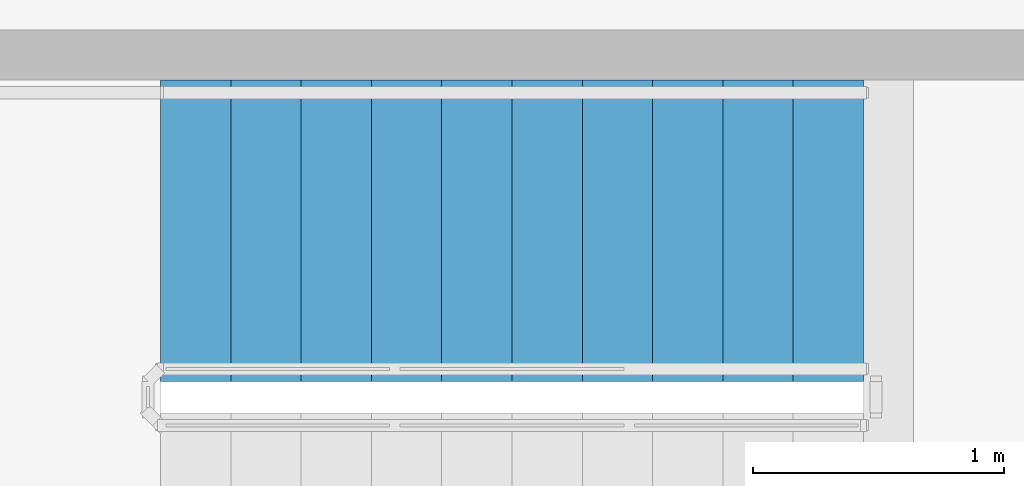
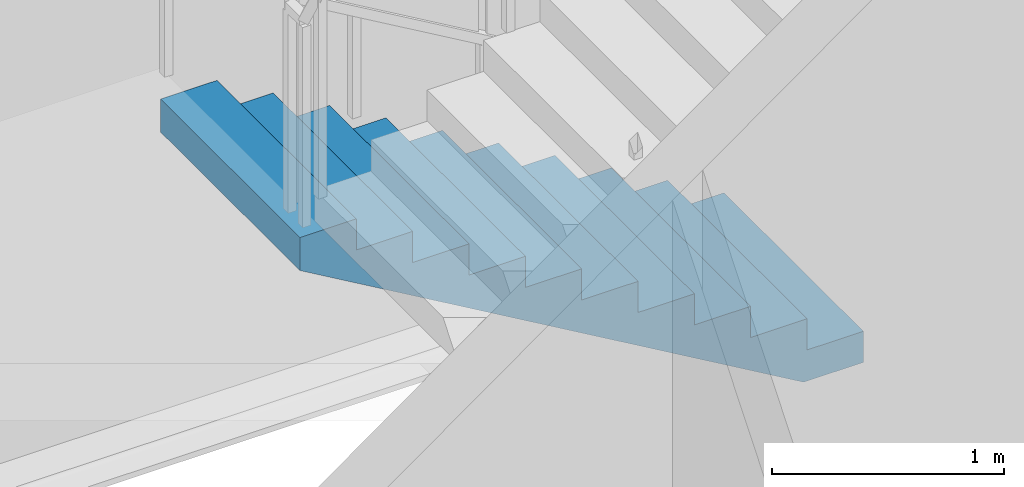
# One storey, part 13 of 19: 1 stair flight, 1 element without a shape of its own.
"""IFC4 building model written with IfcOpenShell, lengths in metres."""

from ifc_helpers import new_model, si_unit, direction, frame, origin, place, context, subcontext, project, spatial, polyline, outline, extrude, material, type_object, element, aggregate, save


model = new_model("IFC4")

# Units and contexts
model_context = context("Model", 3, precision=1e-05, world=origin(), true_north=direction((0.0, 1.0)))
body_context = subcontext(model_context, "Body", "Model", "MODEL_VIEW")
ifc_project = project(units=[si_unit("LENGTHUNIT", "METRE"), si_unit("AREAUNIT", "SQUARE_METRE"), si_unit("VOLUMEUNIT", "CUBIC_METRE"), si_unit("PLANEANGLEUNIT", "RADIAN"), si_unit("MASSUNIT", "GRAM", prefix="KILO")], contexts=[model_context])

# Site, building, storey
site_placement = place(None, origin())
site = spatial("IfcSite", under=ifc_project, at=site_placement, CompositionType="ELEMENT")
building_placement = place(site_placement, origin())
building = spatial("IfcBuilding", under=site, at=building_placement, Name="Cairn Pilgrim Tower", CompositionType="ELEMENT")
storey_placement = place(building_placement, frame((0.0, 0.0, 190.199951171875)))
storey = spatial("IfcBuildingStorey", under=building, at=storey_placement, Name="L48", CompositionType="ELEMENT", Elevation=190.199951171875)

# Stair, stair flight
ifc_material = material(Name="Concrete C32/40", Category="concrete")
stair_type = type_object("IfcStairType", Name="EXIT STAIR 1200", PredefinedType="HALF_TURN_STAIR", material=ifc_material)
stair_placement = place(storey_placement, origin())
stair = element("IfcStair", 1, at=stair_placement, inside=storey, type_object=stair_type, Name="L48 Exit Stair C", PredefinedType="HALF_TURN_STAIR")
stair_flight_type = type_object("IfcStairFlightType", Name="STAIR FLIGHT 1200", PredefinedType="STRAIGHT", material=ifc_material)
stair_flight_placement = place(storey_placement, frame((11.425048828125, 9.5, 0.0), z_axis=(0.0, 0.0, 1.0), x_axis=(-1.0, 0.0, 0.0)))
stair_flight = element("IfcStairFlight", 2, at=stair_flight_placement, type_object=stair_flight_type, Name="ST-C flight 1", NumberOfRisers=11, NumberOfTreads=10, PredefinedType="STRAIGHT", RiserHeight=0.163636364, TreadLength=0.28, context=body_context, shape_type="SweptSolid", body=[
    extrude(outline(polyline([(0.0, 0.0), (0.0, 0.16357421875), (0.280029296875, 0.16357421875), (0.280029296875, 0.327392578125), (0.56005859375, 0.327392578125), (0.56005859375, 0.490966796875), (0.840087890625, 0.490966796875), (0.840087890625, 0.654541015625), (1.1201171875, 0.654541015625), (1.1201171875, 0.818115234375), (1.39990234375, 0.818115234375), (1.39990234375, 0.98193359375), (1.679931640625, 0.98193359375), (1.679931640625, 1.1455078125), (1.9599609375, 1.1455078125), (1.9599609375, 1.30908203125), (2.239990234375, 1.30908203125), (2.239990234375, 1.47265625), (2.52001953125, 1.47265625), (2.52001953125, 1.636474609375), (2.800048828125, 1.636474609375), (2.800048828125, 1.800048828125), (2.800048828125, 1.462646484375), (0.297119140625, 0.0), (0.0, 0.0)])), frame((0.0, 0.60009765625, 0.0), z_axis=(0.0, -1.0, 0.0), x_axis=(1.0, 0.0, 0.0)), (0.0, 0.0, 1.0), 1.199951171875),
])
aggregate(stair, [stair_flight])

save(model, "model.ifc")
